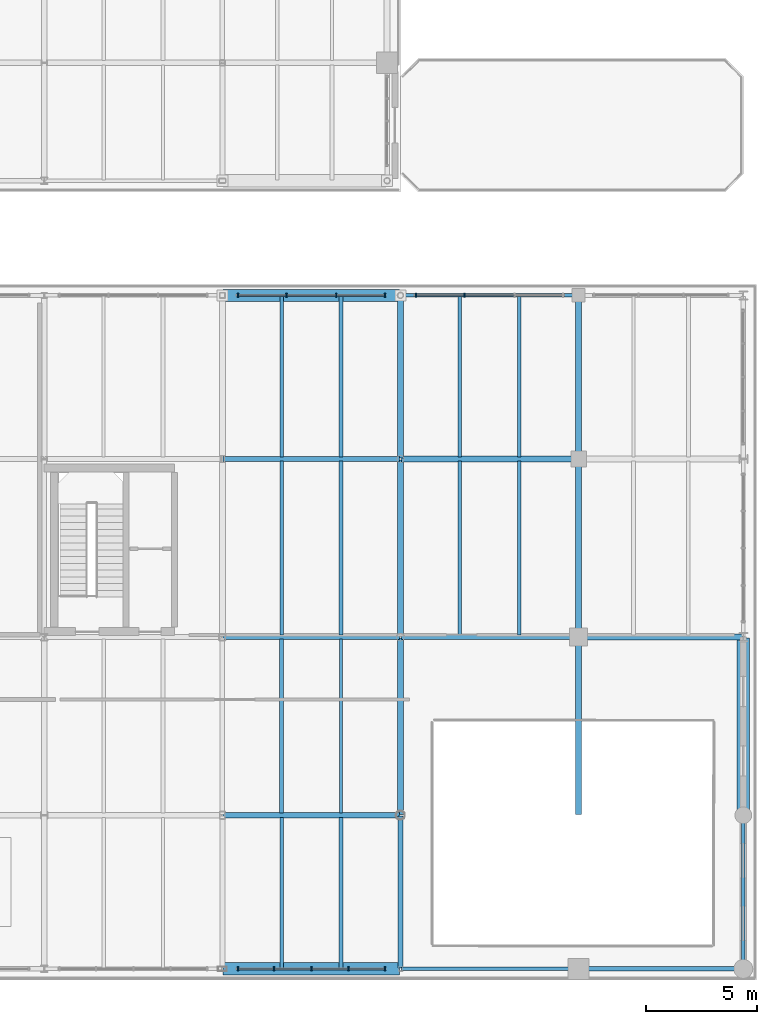
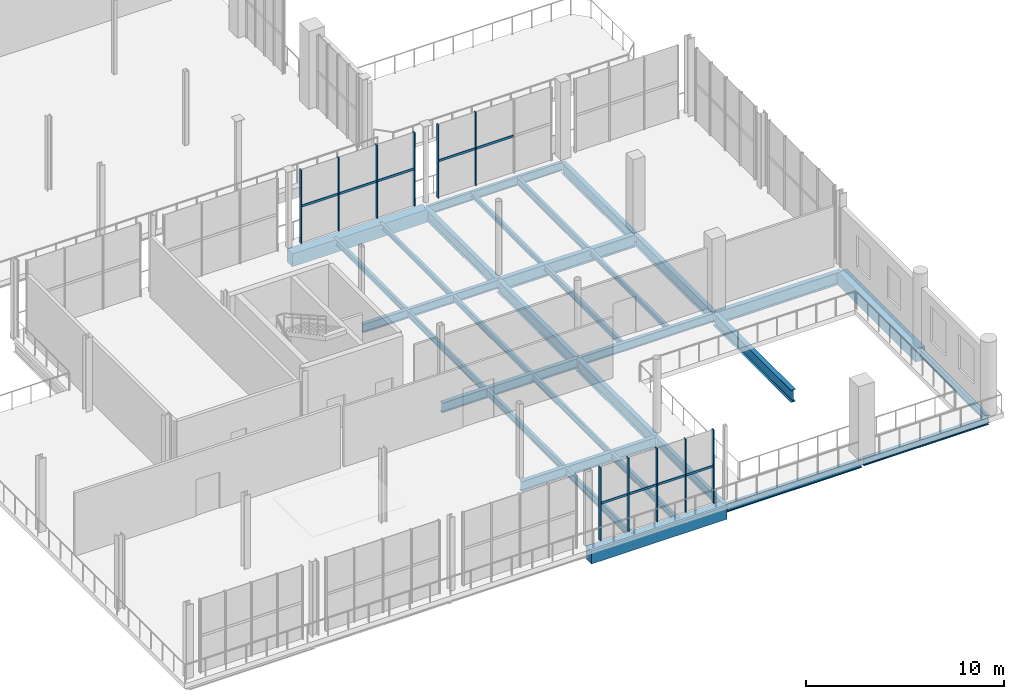
# One storey, part 54 of 93: 32 beams, 20 members, 3 elements without a shape of their own.
"""IFC4 building model written with IfcOpenShell, lengths in metres."""

from ifc_helpers import new_model, si_unit, direction, frame, origin, origin_2d, place, context, subcontext, project, spatial, rectangle, i_section, extrude, material, material_profile, profile_set, type_object, element, aggregate, save


model = new_model("IFC4")

# Units and contexts
model_context = context("Model", 3, precision=1e-05, world=origin(), true_north=direction((0.0, 1.0)))
body_context = subcontext(model_context, "Body", "Model", "MODEL_VIEW")
ifc_project = project(units=[si_unit("LENGTHUNIT", "METRE"), si_unit("AREAUNIT", "SQUARE_METRE"), si_unit("VOLUMEUNIT", "CUBIC_METRE"), si_unit("PLANEANGLEUNIT", "RADIAN"), si_unit("MASSUNIT", "GRAM", prefix="KILO")], contexts=[model_context])

# Site, building, storey
site_placement = place(None, origin())
site = spatial("IfcSite", under=ifc_project, at=site_placement, CompositionType="ELEMENT")
building_placement = place(site_placement, origin())
building = spatial("IfcBuilding", under=site, at=building_placement, Name="Brisemont Oceanarium", CompositionType="ELEMENT")
storey_placement = place(building_placement, frame((0.0, 0.0, 5.39990234375)))
storey = spatial("IfcBuildingStorey", under=building, at=storey_placement, Name="L01", CompositionType="ELEMENT", Elevation=5.39990234375)

# Beams
ifc_material_1 = material(Name="Concrete C40/50", Category="concrete")
ifc_material_profile_1 = material_profile(ifc_material_1, rectangle(XDim=0.550048828125, YDim=0.800048828125, at=origin_2d()), Name="RC-BM-550X800")
ifc_profile_set_1 = profile_set([ifc_material_profile_1], Name="Concrete C40/50")
beam_type_1 = type_object("IfcBeamType", Name="BM-RC550X800", PredefinedType="SPANDREL", material=ifc_profile_set_1)
for number, where, z_axis, x_axis, name in (
    (1, (136.0400390625, 1.10009765625, -0.699951171875), (1.0, 0.0, 0.0), (0.0, 1.0, 0.0), "V3 L01 EW girder"),
    (2, (136.0400390625, 31.35009765625, -0.699951171875), (1.0, 0.0, 0.0), (0.0, 1.0, 0.0), "V3 L01 EW girder"),
    (3, (159.39990234375, 8.0400390625, -0.699951171875), (0.0, 1.0, 0.0), (-1.0, 0.0, 0.0), "V3 L01 NS girder"),
):
    element("IfcBeam", number, at=place(storey_placement, frame(where, z_axis=z_axis, x_axis=x_axis)), inside=storey, type_object=beam_type_1, Name=name, PredefinedType="SPANDREL", context=body_context, shape_type="SweptSolid", body=[
        extrude(rectangle(XDim=0.550048828125, YDim=0.800048828125, at=origin_2d()), origin(), (0.0, 0.0, 1.0), 7.919921875),
    ])
ifc_material_2 = material(Name="Structural Steel ASTM A992 Gr.50", Category="steel")
ifc_material_profile_2 = material_profile(ifc_material_2, i_section(OverallWidth=0.1650390625, OverallDepth=0.31005859375, WebThickness=0.005859375, FlangeThickness=0.009765625, FilletRadius=0.008056640625, at=origin_2d()), Name="W12X26")
ifc_profile_set_2 = profile_set([ifc_material_profile_2], Name="Structural Steel ASTM A992 Gr.50")
beam_type_2 = type_object("IfcBeamType", Name="BM-W12X26", PredefinedType="JOIST", material=ifc_profile_set_2)
beam_1_placement = place(storey_placement, frame((141.333251953125, 24.090087890625, -0.454833984375), z_axis=(0.0, 1.0, 0.0), x_axis=(-1.0, 0.0, 0.0)))
element("IfcBeam", 4, at=beam_1_placement, inside=storey, type_object=beam_type_2, Name="V3 L01 secondary floor beam", PredefinedType="JOIST", context=body_context, shape_type="SweptSolid", body=[
    extrude(i_section(OverallWidth=0.1650390625, OverallDepth=0.31005859375, WebThickness=0.005859375, FlangeThickness=0.009765625, FilletRadius=0.008056640625, at=origin_2d()), origin(), (0.0, 0.0, 1.0), 7.219970703125),
])
beam_2_placement = place(storey_placement, frame((149.333251953125, 16.090087890625, -0.454833984375), z_axis=(0.0, 1.0, 0.0), x_axis=(-1.0, 0.0, 0.0)))
element("IfcBeam", 5, at=beam_2_placement, inside=storey, type_object=beam_type_2, Name="V3 L01 secondary floor beam", PredefinedType="JOIST", context=body_context, shape_type="SweptSolid", body=[
    extrude(i_section(OverallWidth=0.1650390625, OverallDepth=0.31005859375, WebThickness=0.005859375, FlangeThickness=0.009765625, FilletRadius=0.008056640625, at=origin_2d()), origin(), (0.0, 0.0, 1.0), 7.81982421875),
])
beam_3_placement = place(storey_placement, frame((146.666748046875, 24.090087890625, -0.454833984375), z_axis=(0.0, 1.0, 0.0), x_axis=(-1.0, 0.0, 0.0)))
element("IfcBeam", 6, at=beam_3_placement, inside=storey, type_object=beam_type_2, Name="V3 L01 secondary floor beam", PredefinedType="JOIST", context=body_context, shape_type="SweptSolid", body=[
    extrude(i_section(OverallWidth=0.1650390625, OverallDepth=0.31005859375, WebThickness=0.005859375, FlangeThickness=0.009765625, FilletRadius=0.008056640625, at=origin_2d()), origin(), (0.0, 0.0, 1.0), 7.219970703125),
])
ifc_material_3 = material(Name="Structural Steel ASTM A992 Gr.50", Category="steel")
ifc_material_profile_3 = material_profile(ifc_material_3, i_section(OverallWidth=0.1708984375, OverallDepth=0.35107421875, WebThickness=0.0068359375, FlangeThickness=0.009765625, FilletRadius=0.010009765625, at=origin_2d()), Name="W14X30")
ifc_profile_set_3 = profile_set([ifc_material_profile_3], Name="Structural Steel ASTM A992 Gr.50")
beam_type_3 = type_object("IfcBeamType", Name="BM-W14X30", PredefinedType="JOIST", material=ifc_profile_set_3)
beam_4_placement = place(storey_placement, frame((141.333251953125, 16.090087890625, -0.475341796875), z_axis=(0.0, 1.0, 0.0), x_axis=(-1.0, 0.0, 0.0)))
element("IfcBeam", 7, at=beam_4_placement, inside=storey, type_object=beam_type_3, Name="V3 L01 secondary floor beam", PredefinedType="JOIST", context=body_context, shape_type="SweptSolid", body=[
    extrude(i_section(OverallWidth=0.1708984375, OverallDepth=0.35107421875, WebThickness=0.0068359375, FlangeThickness=0.009765625, FilletRadius=0.010009765625, at=origin_2d()), origin(), (0.0, 0.0, 1.0), 7.81982421875),
])
beam_5_placement = place(storey_placement, frame((138.666748046875, 24.090087890625, -0.475341796875), z_axis=(0.0, 1.0, 0.0), x_axis=(-1.0, 0.0, 0.0)))
element("IfcBeam", 8, at=beam_5_placement, inside=storey, type_object=beam_type_3, Name="V3 L01 secondary floor beam", PredefinedType="JOIST", context=body_context, shape_type="SweptSolid", body=[
    extrude(i_section(OverallWidth=0.1708984375, OverallDepth=0.35107421875, WebThickness=0.0068359375, FlangeThickness=0.009765625, FilletRadius=0.010009765625, at=origin_2d()), origin(), (0.0, 0.0, 1.0), 7.219970703125),
])
beam_6_placement = place(storey_placement, frame((146.666748046875, 16.090087890625, -0.475341796875), z_axis=(0.0, 1.0, 0.0), x_axis=(-1.0, 0.0, 0.0)))
element("IfcBeam", 9, at=beam_6_placement, inside=storey, type_object=beam_type_3, Name="V3 L01 secondary floor beam", PredefinedType="JOIST", context=body_context, shape_type="SweptSolid", body=[
    extrude(i_section(OverallWidth=0.1708984375, OverallDepth=0.35107421875, WebThickness=0.0068359375, FlangeThickness=0.009765625, FilletRadius=0.010009765625, at=origin_2d()), origin(), (0.0, 0.0, 1.0), 7.81982421875),
])
ifc_material_4 = material(Name="Structural Steel ASTM A992 Gr.50", Category="steel")
ifc_material_profile_4 = material_profile(ifc_material_4, i_section(OverallWidth=0.139892578125, OverallDepth=0.39892578125, WebThickness=0.00634765625, FlangeThickness=0.0087890625, FilletRadius=0.010009765625, at=origin_2d()), Name="W16X26")
ifc_profile_set_4 = profile_set([ifc_material_profile_4], Name="Structural Steel ASTM A992 Gr.50")
beam_type_4 = type_object("IfcBeamType", Name="BM-W16X26", PredefinedType="JOIST", material=ifc_profile_set_4)
for number, where, z_axis, x_axis, name in (
    (10, (141.333251953125, 8.090087890625, -0.49951171875), (0.0, 1.0, 0.0), (-1.0, 0.0, 0.0), "V3 L01 secondary floor beam"),
    (11, (138.666748046875, 16.090087890625, -0.49951171875), (0.0, 1.0, 0.0), (-1.0, 0.0, 0.0), "V3 L01 secondary floor beam"),
):
    element("IfcBeam", number, at=place(storey_placement, frame(where, z_axis=z_axis, x_axis=x_axis)), inside=storey, type_object=beam_type_4, Name=name, PredefinedType="JOIST", context=body_context, shape_type="SweptSolid", body=[
        extrude(i_section(OverallWidth=0.139892578125, OverallDepth=0.39892578125, WebThickness=0.00634765625, FlangeThickness=0.0087890625, FilletRadius=0.010009765625, at=origin_2d()), origin(), (0.0, 0.0, 1.0), 7.81982421875),
    ])
ifc_material_5 = material(Name="Structural Steel ASTM A992 Gr.50", Category="steel")
ifc_material_profile_5 = material_profile(ifc_material_5, i_section(OverallWidth=0.177978515625, OverallDepth=0.404052734375, WebThickness=0.007568359375, FlangeThickness=0.010986328125, FilletRadius=0.010009765625, at=origin_2d()), Name="W16X36")
ifc_profile_set_5 = profile_set([ifc_material_profile_5], Name="Structural Steel ASTM A992 Gr.50")
beam_type_5 = type_object("IfcBeamType", Name="BM-W16X36", PredefinedType="JOIST", material=ifc_profile_set_5)
beam_7_placement = place(storey_placement, frame((141.333251953125, 1.139892578125, -0.501953125), z_axis=(0.0, 1.0, 0.0), x_axis=(-1.0, 0.0, 0.0)))
element("IfcBeam", 12, at=beam_7_placement, inside=storey, type_object=beam_type_5, Name="V3 L01 secondary floor beam", PredefinedType="JOIST", context=body_context, shape_type="SweptSolid", body=[
    extrude(i_section(OverallWidth=0.177978515625, OverallDepth=0.404052734375, WebThickness=0.007568359375, FlangeThickness=0.010986328125, FilletRadius=0.010009765625, at=origin_2d()), origin(), (0.0, 0.0, 1.0), 6.77001953125),
])
beam_8_placement = place(storey_placement, frame((138.666748046875, 8.090087890625, -0.501953125), z_axis=(0.0, 1.0, 0.0), x_axis=(-1.0, 0.0, 0.0)))
element("IfcBeam", 13, at=beam_8_placement, inside=storey, type_object=beam_type_5, Name="V3 L01 secondary floor beam", PredefinedType="JOIST", context=body_context, shape_type="SweptSolid", body=[
    extrude(i_section(OverallWidth=0.177978515625, OverallDepth=0.404052734375, WebThickness=0.007568359375, FlangeThickness=0.010986328125, FilletRadius=0.010009765625, at=origin_2d()), origin(), (0.0, 0.0, 1.0), 7.81982421875),
])
ifc_material_6 = material(Name="Structural Steel ASTM A992 Gr.50", Category="steel")
ifc_material_profile_6 = material_profile(ifc_material_6, i_section(OverallWidth=0.153076171875, OverallDepth=0.455078125, WebThickness=0.008056640625, FlangeThickness=0.01318359375, FilletRadius=0.010986328125, at=origin_2d()), Name="W18X40")
ifc_profile_set_6 = profile_set([ifc_material_profile_6], Name="Structural Steel ASTM A992 Gr.50")
beam_type_6 = type_object("IfcBeamType", Name="BM-W18X40", PredefinedType="JOIST", material=ifc_profile_set_6)
beam_9_placement = place(storey_placement, frame((138.666748046875, 1.139892578125, -0.52734375), z_axis=(0.0, 1.0, 0.0), x_axis=(-1.0, 0.0, 0.0)))
element("IfcBeam", 14, at=beam_9_placement, inside=storey, type_object=beam_type_6, Name="V3 L01 secondary floor beam", PredefinedType="JOIST", context=body_context, shape_type="SweptSolid", body=[
    extrude(i_section(OverallWidth=0.153076171875, OverallDepth=0.455078125, WebThickness=0.008056640625, FlangeThickness=0.01318359375, FilletRadius=0.010986328125, at=origin_2d()), origin(), (0.0, 0.0, 1.0), 6.77001953125),
])
beam_10_placement = place(storey_placement, frame((149.333251953125, 24.090087890625, -0.52734375), z_axis=(0.0, 1.0, 0.0), x_axis=(-1.0, 0.0, 0.0)))
element("IfcBeam", 15, at=beam_10_placement, inside=storey, type_object=beam_type_6, Name="V3 L01 secondary floor beam", PredefinedType="JOIST", context=body_context, shape_type="SweptSolid", body=[
    extrude(i_section(OverallWidth=0.153076171875, OverallDepth=0.455078125, WebThickness=0.008056640625, FlangeThickness=0.01318359375, FilletRadius=0.010986328125, at=origin_2d()), origin(), (0.0, 0.0, 1.0), 7.219970703125),
])
ifc_material_7 = material(Name="Structural Steel ASTM A992 Gr.50", Category="steel")
ifc_material_profile_7 = material_profile(ifc_material_7, i_section(OverallWidth=0.154052734375, OverallDepth=0.458984375, WebThickness=0.009033203125, FlangeThickness=0.015380859375, FilletRadius=0.010986328125, at=origin_2d()), Name="W18X46")
ifc_profile_set_7 = profile_set([ifc_material_profile_7], Name="Structural Steel ASTM A992 Gr.50")
beam_type_7 = type_object("IfcBeamType", Name="BM-W18X46", PredefinedType="SPANDREL", material=ifc_profile_set_7)
beam_11_placement = place(storey_placement, frame((159.39990234375, 1.139892578125, -0.529296875), z_axis=(0.0, 1.0, 0.0), x_axis=(-1.0, 0.0, 0.0)))
element("IfcBeam", 16, at=beam_11_placement, inside=storey, type_object=beam_type_7, Name="V3 L01 NS girder", PredefinedType="SPANDREL", context=body_context, shape_type="SweptSolid", body=[
    extrude(i_section(OverallWidth=0.154052734375, OverallDepth=0.458984375, WebThickness=0.009033203125, FlangeThickness=0.015380859375, FilletRadius=0.010986328125, at=origin_2d()), origin(), (0.0, 0.0, 1.0), 6.820068359375),
])
ifc_material_8 = material(Name="Structural Steel ASTM A992 Gr.50", Category="steel")
ifc_material_profile_8 = material_profile(ifc_material_8, i_section(OverallWidth=0.19091796875, OverallDepth=0.4599609375, WebThickness=0.010009765625, FlangeThickness=0.01611328125, FilletRadius=0.010986328125, at=origin_2d()), Name="W18X55")
ifc_profile_set_8 = profile_set([ifc_material_profile_8], Name="Structural Steel ASTM A992 Gr.50")
beam_type_8 = type_object("IfcBeamType", Name="BM-W18X55", PredefinedType="SPANDREL", material=ifc_profile_set_8)
beam_12_placement = place(storey_placement, frame((152.0400390625, 1.10009765625, -0.52978515625), z_axis=(1.0, 0.0, 0.0), x_axis=(0.0, 1.0, 0.0)))
element("IfcBeam", 17, at=beam_12_placement, inside=storey, type_object=beam_type_8, Name="V3 L01 EW girder", PredefinedType="SPANDREL", context=body_context, shape_type="SweptSolid", body=[
    extrude(i_section(OverallWidth=0.19091796875, OverallDepth=0.4599609375, WebThickness=0.010009765625, FlangeThickness=0.01611328125, FilletRadius=0.010986328125, at=origin_2d()), origin(), (0.0, 0.0, 1.0), 7.320068359375),
])
ifc_material_9 = material(Name="Structural Steel ASTM A992 Gr.50", Category="steel")
ifc_material_profile_9 = material_profile(ifc_material_9, i_section(OverallWidth=0.166015625, OverallDepth=0.528076171875, WebThickness=0.009765625, FlangeThickness=0.013671875, FilletRadius=0.012939453125, at=origin_2d()), Name="W21X50")
ifc_profile_set_9 = profile_set([ifc_material_profile_9], Name="Structural Steel ASTM A992 Gr.50")
beam_type_9 = type_object("IfcBeamType", Name="BM-W21X50", PredefinedType="SPANDREL", material=ifc_profile_set_9)
for number, where, z_axis, x_axis, name in (
    (18, (144.0400390625, 1.10009765625, -0.56396484375), (1.0, 0.0, 0.0), (0.0, 1.0, 0.0), "V3 L01 EW girder"),
    (19, (144.0400390625, 31.35009765625, -0.56396484375), (1.0, 0.0, 0.0), (0.0, 1.0, 0.0), "V3 L01 EW girder"),
):
    element("IfcBeam", number, at=place(storey_placement, frame(where, z_axis=z_axis, x_axis=x_axis)), inside=storey, type_object=beam_type_9, Name=name, PredefinedType="SPANDREL", context=body_context, shape_type="SweptSolid", body=[
        extrude(i_section(OverallWidth=0.166015625, OverallDepth=0.528076171875, WebThickness=0.009765625, FlangeThickness=0.013671875, FilletRadius=0.012939453125, at=origin_2d()), origin(), (0.0, 0.0, 1.0), 7.919921875),
    ])
ifc_material_10 = material(Name="Structural Steel ASTM A992 Gr.50", Category="steel")
ifc_material_profile_10 = material_profile(ifc_material_10, i_section(OverallWidth=0.2099609375, OverallDepth=0.532958984375, WebThickness=0.01025390625, FlangeThickness=0.015625, FilletRadius=0.012939453125, at=origin_2d()), Name="W21X62")
ifc_profile_set_10 = profile_set([ifc_material_profile_10], Name="Structural Steel ASTM A992 Gr.50")
beam_type_10 = type_object("IfcBeamType", Name="BM-W21X62", PredefinedType="BEAM", material=ifc_profile_set_10)
for number, where, z_axis, x_axis, name in (
    (20, (144.0400390625, 16.0, -0.56640625), (1.0, 0.0, 0.0), (0.0, 1.0, 0.0), "V3 L01 EW girder"),
    (21, (136.0400390625, 24.0, -0.56640625), (1.0, 0.0, 0.0), (0.0, 1.0, 0.0), "V3 L01 EW girder"),
):
    element("IfcBeam", number, at=place(storey_placement, frame(where, z_axis=z_axis, x_axis=x_axis)), inside=storey, type_object=beam_type_10, Name=name, PredefinedType="BEAM", context=body_context, shape_type="SweptSolid", body=[
        extrude(i_section(OverallWidth=0.2099609375, OverallDepth=0.532958984375, WebThickness=0.01025390625, FlangeThickness=0.015625, FilletRadius=0.012939453125, at=origin_2d()), origin(), (0.0, 0.0, 1.0), 7.919921875),
    ])
beam_13_placement = place(storey_placement, frame((144.0, 1.139892578125, -0.56640625), z_axis=(0.0, 1.0, 0.0), x_axis=(-1.0, 0.0, 0.0)))
element("IfcBeam", 22, at=beam_13_placement, inside=storey, type_object=beam_type_10, Name="V3 L01 NS girder", PredefinedType="BEAM", context=body_context, shape_type="SweptSolid", body=[
    extrude(i_section(OverallWidth=0.2099609375, OverallDepth=0.532958984375, WebThickness=0.01025390625, FlangeThickness=0.015625, FilletRadius=0.012939453125, at=origin_2d()), origin(), (0.0, 0.0, 1.0), 6.820068359375),
])
ifc_material_11 = material(Name="Structural Steel ASTM A992 Gr.50", Category="steel")
ifc_material_profile_11 = material_profile(ifc_material_11, i_section(OverallWidth=0.22802734375, OverallDepth=0.60205078125, WebThickness=0.010498046875, FlangeThickness=0.014892578125, FilletRadius=0.012939453125, at=origin_2d()), Name="W24X68")
ifc_profile_set_11 = profile_set([ifc_material_profile_11], Name="Structural Steel ASTM A992 Gr.50")
beam_type_11 = type_object("IfcBeamType", Name="BM-W24X68", PredefinedType="BEAM", material=ifc_profile_set_11)
beam_14_placement = place(storey_placement, frame((136.0400390625, 16.0, -0.600830078125), z_axis=(1.0, 0.0, 0.0), x_axis=(0.0, 1.0, 0.0)))
element("IfcBeam", 23, at=beam_14_placement, inside=storey, type_object=beam_type_11, Name="V3 L01 EW girder", PredefinedType="BEAM", context=body_context, shape_type="SweptSolid", body=[
    extrude(i_section(OverallWidth=0.22802734375, OverallDepth=0.60205078125, WebThickness=0.010498046875, FlangeThickness=0.014892578125, FilletRadius=0.012939453125, at=origin_2d()), origin(), (0.0, 0.0, 1.0), 7.919921875),
])
ifc_material_12 = material(Name="Structural Steel ASTM A992 Gr.50", Category="steel")
ifc_material_profile_12 = material_profile(ifc_material_12, i_section(OverallWidth=0.22802734375, OverallDepth=0.60791015625, WebThickness=0.01123046875, FlangeThickness=0.017333984375, FilletRadius=0.012939453125, at=origin_2d()), Name="W24X76")
ifc_profile_set_12 = profile_set([ifc_material_profile_12], Name="Structural Steel ASTM A992 Gr.50")
beam_type_12 = type_object("IfcBeamType", Name="BM-W24X76", PredefinedType="BEAM", material=ifc_profile_set_12)
beam_15_placement = place(storey_placement, frame((136.0400390625, 8.0, -0.60400390625), z_axis=(1.0, 0.0, 0.0), x_axis=(0.0, 1.0, 0.0)))
element("IfcBeam", 24, at=beam_15_placement, inside=storey, type_object=beam_type_12, Name="V3 L01 EW girder", PredefinedType="BEAM", context=body_context, shape_type="SweptSolid", body=[
    extrude(i_section(OverallWidth=0.22802734375, OverallDepth=0.60791015625, WebThickness=0.01123046875, FlangeThickness=0.017333984375, FilletRadius=0.012939453125, at=origin_2d()), origin(), (0.0, 0.0, 1.0), 7.919921875),
])
ifc_material_13 = material(Name="Structural Steel ASTM A992 Gr.50", Category="steel")
ifc_material_profile_13 = material_profile(ifc_material_13, i_section(OverallWidth=0.2529296875, OverallDepth=0.677978515625, WebThickness=0.01171875, FlangeThickness=0.016357421875, FilletRadius=0.014892578125, at=origin_2d()), Name="W27X84")
ifc_profile_set_13 = profile_set([ifc_material_profile_13], Name="Structural Steel ASTM A992 Gr.50")
beam_type_13 = type_object("IfcBeamType", Name="BM-W27X84", PredefinedType="BEAM", material=ifc_profile_set_13)
beam_16_placement = place(storey_placement, frame((152.0, 24.0400390625, -0.638916015625), z_axis=(0.0, 1.0, 0.0), x_axis=(-1.0, 0.0, 0.0)))
element("IfcBeam", 25, at=beam_16_placement, inside=storey, type_object=beam_type_13, Name="V3 L01 NS girder", PredefinedType="BEAM", context=body_context, shape_type="SweptSolid", body=[
    extrude(i_section(OverallWidth=0.2529296875, OverallDepth=0.677978515625, WebThickness=0.01171875, FlangeThickness=0.016357421875, FilletRadius=0.014892578125, at=origin_2d()), origin(), (0.0, 0.0, 1.0), 7.27001953125),
])
ifc_material_14 = material(Name="Structural Steel ASTM A992 Gr.50", Category="steel")
ifc_material_profile_14 = material_profile(ifc_material_14, i_section(OverallWidth=0.25390625, OverallDepth=0.68310546875, WebThickness=0.012451171875, FlangeThickness=0.018798828125, FilletRadius=0.014892578125, at=origin_2d()), Name="W27X94")
ifc_profile_set_14 = profile_set([ifc_material_profile_14], Name="Structural Steel ASTM A992 Gr.50")
beam_type_14 = type_object("IfcBeamType", Name="BM-W27X94", PredefinedType="BEAM", material=ifc_profile_set_14)
beam_17_placement = place(storey_placement, frame((144.0, 24.0400390625, -0.641357421875), z_axis=(0.0, 1.0, 0.0), x_axis=(-1.0, 0.0, 0.0)))
element("IfcBeam", 26, at=beam_17_placement, inside=storey, type_object=beam_type_14, Name="V3 L01 NS girder", PredefinedType="BEAM", context=body_context, shape_type="SweptSolid", body=[
    extrude(i_section(OverallWidth=0.25390625, OverallDepth=0.68310546875, WebThickness=0.012451171875, FlangeThickness=0.018798828125, FilletRadius=0.014892578125, at=origin_2d()), origin(), (0.0, 0.0, 1.0), 7.27001953125),
])
beam_18_placement = place(storey_placement, frame((152.0, 16.0400390625, -0.641357421875), z_axis=(0.0, 1.0, 0.0), x_axis=(-1.0, 0.0, 0.0)))
element("IfcBeam", 27, at=beam_18_placement, inside=storey, type_object=beam_type_14, Name="V3 L01 NS girder", PredefinedType="BEAM", context=body_context, shape_type="SweptSolid", body=[
    extrude(i_section(OverallWidth=0.25390625, OverallDepth=0.68310546875, WebThickness=0.012451171875, FlangeThickness=0.018798828125, FilletRadius=0.014892578125, at=origin_2d()), origin(), (0.0, 0.0, 1.0), 7.919921875),
])
ifc_material_15 = material(Name="Structural Steel ASTM A992 Gr.50", Category="steel")
ifc_material_profile_15 = material_profile(ifc_material_15, i_section(OverallWidth=0.26708984375, OverallDepth=0.761962890625, WebThickness=0.014404296875, FlangeThickness=0.021484375, FilletRadius=0.01611328125, at=origin_2d()), Name="W30X116")
ifc_profile_set_15 = profile_set([ifc_material_profile_15], Name="Structural Steel ASTM A992 Gr.50")
beam_type_15 = type_object("IfcBeamType", Name="BM-W30X116", PredefinedType="BEAM", material=ifc_profile_set_15)
beam_19_placement = place(storey_placement, frame((152.0400390625, 16.0, -0.680908203125), z_axis=(1.0, 0.0, 0.0), x_axis=(0.0, 1.0, 0.0)))
element("IfcBeam", 28, at=beam_19_placement, inside=storey, type_object=beam_type_15, Name="V3 L01 EW girder", PredefinedType="BEAM", context=body_context, shape_type="SweptSolid", body=[
    extrude(i_section(OverallWidth=0.26708984375, OverallDepth=0.761962890625, WebThickness=0.014404296875, FlangeThickness=0.021484375, FilletRadius=0.01611328125, at=origin_2d()), origin(), (0.0, 0.0, 1.0), 7.320068359375),
])
for number, where, z_axis, x_axis, name in (
    (29, (144.0400390625, 24.0, -0.680908203125), (1.0, 0.0, 0.0), (0.0, 1.0, 0.0), "V3 L01 EW girder"),
    (30, (144.0, 8.0400390625, -0.680908203125), (0.0, 1.0, 0.0), (-1.0, 0.0, 0.0), "V3 L01 NS girder"),
):
    element("IfcBeam", number, at=place(storey_placement, frame(where, z_axis=z_axis, x_axis=x_axis)), inside=storey, type_object=beam_type_15, Name=name, PredefinedType="BEAM", context=body_context, shape_type="SweptSolid", body=[
        extrude(i_section(OverallWidth=0.26708984375, OverallDepth=0.761962890625, WebThickness=0.014404296875, FlangeThickness=0.021484375, FilletRadius=0.01611328125, at=origin_2d()), origin(), (0.0, 0.0, 1.0), 7.919921875),
    ])
ifc_material_16 = material(Name="Structural Steel ASTM A992 Gr.50", Category="steel")
ifc_material_profile_16 = material_profile(ifc_material_16, i_section(OverallWidth=0.264892578125, OverallDepth=0.7529296875, WebThickness=0.01318359375, FlangeThickness=0.01708984375, FilletRadius=0.01611328125, at=origin_2d()), Name="W30X99")
ifc_profile_set_16 = profile_set([ifc_material_profile_16], Name="Structural Steel ASTM A992 Gr.50")
beam_type_16 = type_object("IfcBeamType", Name="BM-W30X99", PredefinedType="BEAM", material=ifc_profile_set_16)
for number, where, z_axis, x_axis, name in (
    (31, (144.0, 16.0400390625, -0.676513671875), (0.0, 1.0, 0.0), (-1.0, 0.0, 0.0), "V3 L01 NS girder"),
    (32, (152.0, 8.0400390625, -0.676513671875), (0.0, 1.0, 0.0), (-1.0, 0.0, 0.0), "V3 L01 NS girder"),
):
    element("IfcBeam", number, at=place(storey_placement, frame(where, z_axis=z_axis, x_axis=x_axis)), inside=storey, type_object=beam_type_16, Name=name, PredefinedType="BEAM", context=body_context, shape_type="SweptSolid", body=[
        extrude(i_section(OverallWidth=0.264892578125, OverallDepth=0.7529296875, WebThickness=0.01318359375, FlangeThickness=0.01708984375, FilletRadius=0.01611328125, at=origin_2d()), origin(), (0.0, 0.0, 1.0), 7.919921875),
    ])

# Curtain wall, members
ifc_material_17 = material(Name="Anodized Extruded Aluminum 6063-T6", Category="aluminium")
curtain_wall_type_1 = type_object("IfcCurtainWallType", Name="CW-EDU-69X45", PredefinedType="NOTDEFINED", material=ifc_material_17)
curtain_wall_1_placement = place(storey_placement, origin())
curtain_wall_1 = element("IfcCurtainWall", 33, at=curtain_wall_1_placement, inside=storey, type_object=curtain_wall_type_1, Name="CW-07 curtain wall CW-V3-S-L01-04", PredefinedType="NOTDEFINED")
ifc_material_18 = material(Name="Anodized Extruded Aluminum 6063-T6", Category="aluminium")
ifc_material_profile_17 = material_profile(ifc_material_18, rectangle(XDim=0.06494140625, YDim=0.179931640625, at=origin_2d()), Name="CWM-65X180")
ifc_profile_set_17 = profile_set([ifc_material_profile_17], Name="Anodized Extruded Aluminum 6063-T6")
member_type_1 = type_object("IfcMemberType", Name="MEM-CWM-65", PredefinedType="MULLION", material=ifc_profile_set_17)
member_1_placement = place(storey_placement, frame((136.695068359375, 1.10009765625, 0.0), z_axis=(0.0, 0.0, 1.0), x_axis=(1.0, 0.0, 0.0)))
member_1 = element("IfcMember", 34, at=member_1_placement, type_object=member_type_1, Name="CW-V3-S-L01-04 mullion 1", PredefinedType="MULLION", context=body_context, shape_type="SweptSolid", body=[
    extrude(rectangle(XDim=0.06494140625, YDim=0.179931640625, at=origin_2d()), origin(), (0.0, 0.0, 1.0), 4.52001953125),
])
member_2_placement = place(storey_placement, frame((138.324951171875, 1.10009765625, 0.0), z_axis=(0.0, 0.0, 1.0), x_axis=(1.0, 0.0, 0.0)))
member_2 = element("IfcMember", 35, at=member_2_placement, type_object=member_type_1, Name="CW-V3-S-L01-04 mullion 2", PredefinedType="MULLION", context=body_context, shape_type="SweptSolid", body=[
    extrude(rectangle(XDim=0.06494140625, YDim=0.179931640625, at=origin_2d()), origin(), (0.0, 0.0, 1.0), 4.52001953125),
])
member_3_placement = place(storey_placement, frame((140.0, 1.10009765625, 0.0), z_axis=(0.0, 0.0, 1.0), x_axis=(1.0, 0.0, 0.0)))
member_3 = element("IfcMember", 36, at=member_3_placement, type_object=member_type_1, Name="CW-V3-S-L01-04 mullion 3", PredefinedType="MULLION", context=body_context, shape_type="SweptSolid", body=[
    extrude(rectangle(XDim=0.06494140625, YDim=0.179931640625, at=origin_2d()), origin(), (0.0, 0.0, 1.0), 4.52001953125),
])
member_4_placement = place(storey_placement, frame((141.675048828125, 1.10009765625, 0.0), z_axis=(0.0, 0.0, 1.0), x_axis=(1.0, 0.0, 0.0)))
member_4 = element("IfcMember", 37, at=member_4_placement, type_object=member_type_1, Name="CW-V3-S-L01-04 mullion 4", PredefinedType="MULLION", context=body_context, shape_type="SweptSolid", body=[
    extrude(rectangle(XDim=0.06494140625, YDim=0.179931640625, at=origin_2d()), origin(), (0.0, 0.0, 1.0), 4.52001953125),
])
member_5_placement = place(storey_placement, frame((143.304931640625, 1.10009765625, 0.0), z_axis=(0.0, 0.0, 1.0), x_axis=(1.0, 0.0, 0.0)))
member_5 = element("IfcMember", 38, at=member_5_placement, type_object=member_type_1, Name="CW-V3-S-L01-04 mullion 5", PredefinedType="MULLION", context=body_context, shape_type="SweptSolid", body=[
    extrude(rectangle(XDim=0.06494140625, YDim=0.179931640625, at=origin_2d()), origin(), (0.0, 0.0, 1.0), 4.52001953125),
])

ifc_material_19 = material(Name="Anodized Extruded Aluminum 6063-T6", Category="aluminium")
curtain_wall_type_2 = type_object("IfcCurtainWallType", Name="CW-EDU-58X43", PredefinedType="NOTDEFINED", material=ifc_material_19)
curtain_wall_2_placement = place(storey_placement, origin())
curtain_wall_2 = element("IfcCurtainWall", 39, at=curtain_wall_2_placement, inside=storey, type_object=curtain_wall_type_2, Name="CW-10 curtain wall CW-V3-N-L01-03", PredefinedType="NOTDEFINED")
member_6_placement = place(storey_placement, frame((136.695068359375, 31.35009765625, 0.0), z_axis=(0.0, 0.0, 1.0), x_axis=(1.0, 0.0, 0.0)))
member_6 = element("IfcMember", 40, at=member_6_placement, type_object=member_type_1, Name="CW-V3-N-L01-03 mullion 1", PredefinedType="MULLION", context=body_context, shape_type="SweptSolid", body=[
    extrude(rectangle(XDim=0.06494140625, YDim=0.179931640625, at=origin_2d()), origin(), (0.0, 0.0, 1.0), 4.52001953125),
])
member_7_placement = place(storey_placement, frame((138.88330078125, 31.35009765625, 0.0), z_axis=(0.0, 0.0, 1.0), x_axis=(1.0, 0.0, 0.0)))
member_7 = element("IfcMember", 41, at=member_7_placement, type_object=member_type_1, Name="CW-V3-N-L01-03 mullion 2", PredefinedType="MULLION", context=body_context, shape_type="SweptSolid", body=[
    extrude(rectangle(XDim=0.06494140625, YDim=0.179931640625, at=origin_2d()), origin(), (0.0, 0.0, 1.0), 4.52001953125),
])
member_8_placement = place(storey_placement, frame((141.11669921875, 31.35009765625, 0.0), z_axis=(0.0, 0.0, 1.0), x_axis=(1.0, 0.0, 0.0)))
member_8 = element("IfcMember", 42, at=member_8_placement, type_object=member_type_1, Name="CW-V3-N-L01-03 mullion 3", PredefinedType="MULLION", context=body_context, shape_type="SweptSolid", body=[
    extrude(rectangle(XDim=0.06494140625, YDim=0.179931640625, at=origin_2d()), origin(), (0.0, 0.0, 1.0), 4.52001953125),
])
member_9_placement = place(storey_placement, frame((143.304931640625, 31.35009765625, 0.0), z_axis=(0.0, 0.0, 1.0), x_axis=(1.0, 0.0, 0.0)))
member_9 = element("IfcMember", 43, at=member_9_placement, type_object=member_type_1, Name="CW-V3-N-L01-03 mullion 4", PredefinedType="MULLION", context=body_context, shape_type="SweptSolid", body=[
    extrude(rectangle(XDim=0.06494140625, YDim=0.179931640625, at=origin_2d()), origin(), (0.0, 0.0, 1.0), 4.52001953125),
])

curtain_wall_3_placement = place(storey_placement, origin())
curtain_wall_3 = element("IfcCurtainWall", 44, at=curtain_wall_3_placement, inside=storey, type_object=curtain_wall_type_2, Name="CW-10 curtain wall CW-V3-N-L01-04", PredefinedType="NOTDEFINED")
member_10_placement = place(storey_placement, frame((144.695068359375, 31.35009765625, 0.0), z_axis=(0.0, 0.0, 1.0), x_axis=(1.0, 0.0, 0.0)))
member_10 = element("IfcMember", 45, at=member_10_placement, type_object=member_type_1, Name="CW-V3-N-L01-04 mullion 1", PredefinedType="MULLION", context=body_context, shape_type="SweptSolid", body=[
    extrude(rectangle(XDim=0.06494140625, YDim=0.179931640625, at=origin_2d()), origin(), (0.0, 0.0, 1.0), 4.52001953125),
])
member_11_placement = place(storey_placement, frame((146.88330078125, 31.35009765625, 0.0), z_axis=(0.0, 0.0, 1.0), x_axis=(1.0, 0.0, 0.0)))
member_11 = element("IfcMember", 46, at=member_11_placement, type_object=member_type_1, Name="CW-V3-N-L01-04 mullion 2", PredefinedType="MULLION", context=body_context, shape_type="SweptSolid", body=[
    extrude(rectangle(XDim=0.06494140625, YDim=0.179931640625, at=origin_2d()), origin(), (0.0, 0.0, 1.0), 4.52001953125),
])

# Member
ifc_material_20 = material(Name="Anodized Extruded Aluminum 6063-T6", Category="aluminium")
ifc_material_profile_18 = material_profile(ifc_material_20, rectangle(XDim=0.06494140625, YDim=0.139892578125, at=origin_2d()), Name="CWT-65X140")
ifc_profile_set_18 = profile_set([ifc_material_profile_18], Name="Anodized Extruded Aluminum 6063-T6")
member_type_2 = type_object("IfcMemberType", Name="MEM-CWT-65", PredefinedType="USERDEFINED", material=ifc_profile_set_18)
member_12_placement = place(storey_placement, frame((136.6650390625, 1.10009765625, 2.260009765625), z_axis=(1.0, 0.0, 0.0), x_axis=(0.0, 1.0, 0.0)))
member_12 = element("IfcMember", 47, at=member_12_placement, type_object=member_type_2, Name="CW-V3-S-L01-04 transom 1.1", ObjectType="TRANSOM", PredefinedType="USERDEFINED", context=body_context, shape_type="SweptSolid", body=[
    extrude(rectangle(XDim=0.06494140625, YDim=0.139892578125, at=origin_2d()), origin(), (0.0, 0.0, 1.0), 1.64501953125),
])

member_13_placement = place(storey_placement, frame((138.340087890625, 1.10009765625, 2.260009765625), z_axis=(1.0, 0.0, 0.0), x_axis=(0.0, 1.0, 0.0)))
member_13 = element("IfcMember", 48, at=member_13_placement, type_object=member_type_2, Name="CW-V3-S-L01-04 transom 2.1", ObjectType="TRANSOM", PredefinedType="USERDEFINED", context=body_context, shape_type="SweptSolid", body=[
    extrude(rectangle(XDim=0.06494140625, YDim=0.139892578125, at=origin_2d()), origin(), (0.0, 0.0, 1.0), 1.64501953125),
])

member_14_placement = place(storey_placement, frame((140.014892578125, 1.10009765625, 2.260009765625), z_axis=(1.0, 0.0, 0.0), x_axis=(0.0, 1.0, 0.0)))
member_14 = element("IfcMember", 49, at=member_14_placement, type_object=member_type_2, Name="CW-V3-S-L01-04 transom 3.1", ObjectType="TRANSOM", PredefinedType="USERDEFINED", context=body_context, shape_type="SweptSolid", body=[
    extrude(rectangle(XDim=0.06494140625, YDim=0.139892578125, at=origin_2d()), origin(), (0.0, 0.0, 1.0), 1.64501953125),
])

member_15_placement = place(storey_placement, frame((141.68994140625, 1.10009765625, 2.260009765625), z_axis=(1.0, 0.0, 0.0), x_axis=(0.0, 1.0, 0.0)))
member_15 = element("IfcMember", 50, at=member_15_placement, type_object=member_type_2, Name="CW-V3-S-L01-04 transom 4.1", ObjectType="TRANSOM", PredefinedType="USERDEFINED", context=body_context, shape_type="SweptSolid", body=[
    extrude(rectangle(XDim=0.06494140625, YDim=0.139892578125, at=origin_2d()), origin(), (0.0, 0.0, 1.0), 1.64501953125),
])

aggregate(curtain_wall_1, [member_1, member_2, member_3, member_4, member_5, member_12, member_13, member_14, member_15])

member_16_placement = place(storey_placement, frame((136.6650390625, 31.35009765625, 2.260009765625), z_axis=(1.0, 0.0, 0.0), x_axis=(0.0, 1.0, 0.0)))
member_16 = element("IfcMember", 51, at=member_16_placement, type_object=member_type_2, Name="CW-V3-N-L01-03 transom 1.1", ObjectType="TRANSOM", PredefinedType="USERDEFINED", context=body_context, shape_type="SweptSolid", body=[
    extrude(rectangle(XDim=0.06494140625, YDim=0.139892578125, at=origin_2d()), origin(), (0.0, 0.0, 1.0), 2.203369140625),
])

member_17_placement = place(storey_placement, frame((138.898193359375, 31.35009765625, 2.260009765625), z_axis=(1.0, 0.0, 0.0), x_axis=(0.0, 1.0, 0.0)))
member_17 = element("IfcMember", 52, at=member_17_placement, type_object=member_type_2, Name="CW-V3-N-L01-03 transom 2.1", ObjectType="TRANSOM", PredefinedType="USERDEFINED", context=body_context, shape_type="SweptSolid", body=[
    extrude(rectangle(XDim=0.06494140625, YDim=0.139892578125, at=origin_2d()), origin(), (0.0, 0.0, 1.0), 2.20361328125),
])

member_18_placement = place(storey_placement, frame((141.131591796875, 31.35009765625, 2.260009765625), z_axis=(1.0, 0.0, 0.0), x_axis=(0.0, 1.0, 0.0)))
member_18 = element("IfcMember", 53, at=member_18_placement, type_object=member_type_2, Name="CW-V3-N-L01-03 transom 3.1", ObjectType="TRANSOM", PredefinedType="USERDEFINED", context=body_context, shape_type="SweptSolid", body=[
    extrude(rectangle(XDim=0.06494140625, YDim=0.139892578125, at=origin_2d()), origin(), (0.0, 0.0, 1.0), 2.203369140625),
])

aggregate(curtain_wall_2, [member_6, member_7, member_8, member_9, member_16, member_17, member_18])

member_19_placement = place(storey_placement, frame((144.6650390625, 31.35009765625, 2.260009765625), z_axis=(1.0, 0.0, 0.0), x_axis=(0.0, 1.0, 0.0)))
member_19 = element("IfcMember", 54, at=member_19_placement, type_object=member_type_2, Name="CW-V3-N-L01-04 transom 1.1", ObjectType="TRANSOM", PredefinedType="USERDEFINED", context=body_context, shape_type="SweptSolid", body=[
    extrude(rectangle(XDim=0.06494140625, YDim=0.139892578125, at=origin_2d()), origin(), (0.0, 0.0, 1.0), 2.203369140625),
])

member_20_placement = place(storey_placement, frame((146.898193359375, 31.35009765625, 2.260009765625), z_axis=(1.0, 0.0, 0.0), x_axis=(0.0, 1.0, 0.0)))
member_20 = element("IfcMember", 55, at=member_20_placement, type_object=member_type_2, Name="CW-V3-N-L01-04 transom 2.1", ObjectType="TRANSOM", PredefinedType="USERDEFINED", context=body_context, shape_type="SweptSolid", body=[
    extrude(rectangle(XDim=0.06494140625, YDim=0.139892578125, at=origin_2d()), origin(), (0.0, 0.0, 1.0), 2.20361328125),
])

aggregate(curtain_wall_3, [member_10, member_11, member_19, member_20])

save(model, "model.ifc")
